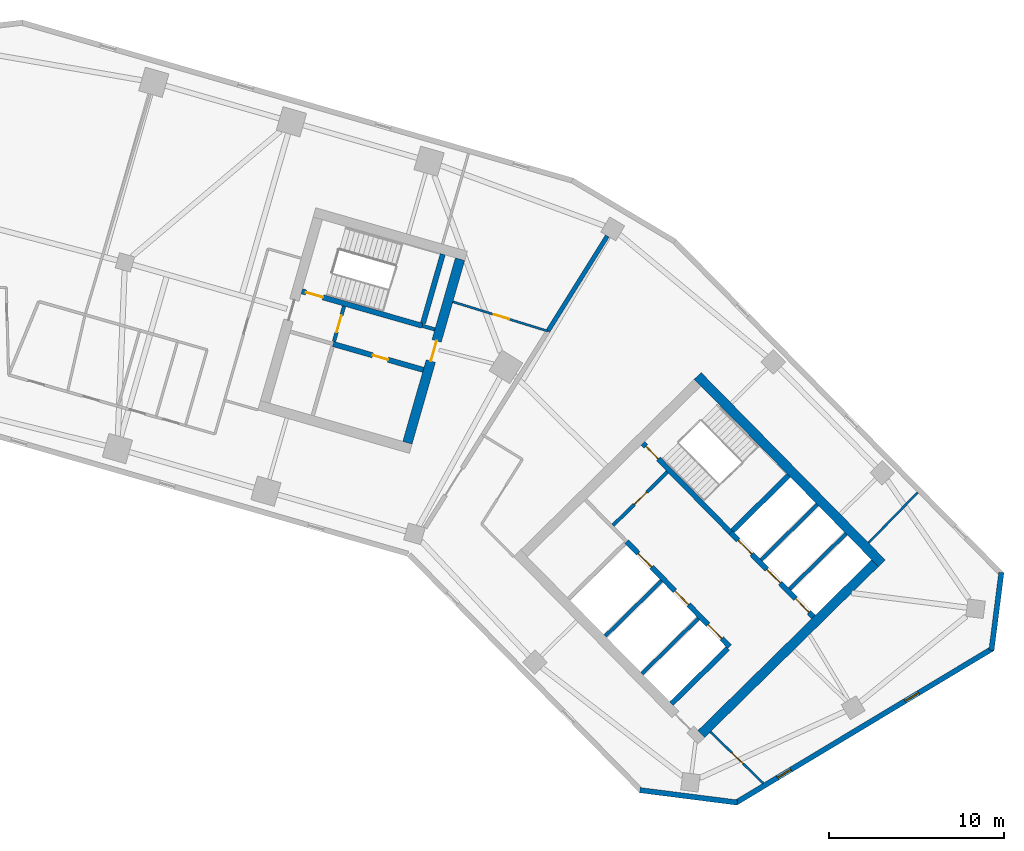
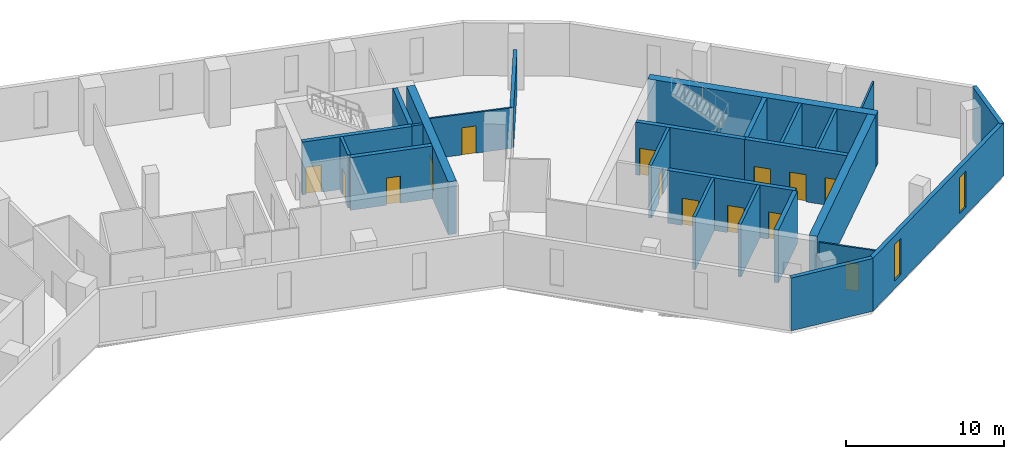
# One storey, part 6 of 10: 25 walls, 14 doors, 2 windows, 16 openings.
"""IFC4 building model written with IfcOpenShell, lengths in metres."""

from ifc_helpers import new_model, si_unit, direction, frame, frame_2d, origin, place, context, subcontext, project, spatial, rectangle, extrude, material, layer, layer_set, type_object, element, fill, save


model = new_model("IFC4")

# Units and contexts
model_context = context("Model", 3, precision=1e-05, world=origin(), true_north=direction((0.0, 1.0)))
body_context = subcontext(model_context, "Body", "Model", "MODEL_VIEW")
ifc_project = project(units=[si_unit("LENGTHUNIT", "METRE"), si_unit("AREAUNIT", "SQUARE_METRE"), si_unit("VOLUMEUNIT", "CUBIC_METRE"), si_unit("PLANEANGLEUNIT", "RADIAN"), si_unit("MASSUNIT", "GRAM", prefix="KILO")], contexts=[model_context])

# Site, building, storey
site_placement = place(None, origin())
site = spatial("IfcSite", under=ifc_project, at=site_placement, CompositionType="ELEMENT")
building_placement = place(site_placement, origin())
building = spatial("IfcBuilding", under=site, at=building_placement, Name="Binnacle Exchange Tower", CompositionType="ELEMENT")
storey_placement = place(building_placement, frame((0.0, 0.0, 119.10009765625)))
storey = spatial("IfcBuildingStorey", under=building, at=storey_placement, Name="L24", CompositionType="ELEMENT", Elevation=119.10009765625)

# Wall, openings, doors
ifc_material_1 = material(Name="Concrete C70/85", Category="concrete")
ifc_layer_1 = layer(ifc_material_1, 0.300048828125)
ifc_layer_set_1 = layer_set([ifc_layer_1], Name="Core wall - front 300")
wall_type_1 = type_object("IfcWallType", Name="Core wall - front 300", PredefinedType="SOLIDWALL", material=ifc_layer_set_1)
wall_1_placement = place(storey_placement, frame((37.8740234375, 41.41552734375, 0.0), z_axis=(0.0, 0.0, 1.0), x_axis=(0.700918271237, -0.71324159795, 0.0)))
wall_1 = element("IfcWall", 1, at=wall_1_placement, inside=storey, type_object=wall_type_1, Name="Core wall CRWB3", PredefinedType="SOLIDWALL", context=body_context, shape_type="SweptSolid", body=[
    extrude(rectangle(XDim=8.39990234375, YDim=0.300048828125, at=frame_2d((4.199951171875, 0.0))), origin(), (0.0, 0.0, 1.0), 4.079833984375),
])
opening_1_placement = place(wall_1_placement, frame((0.949951171875, 0.0, 0.0)))
opening_1 = element("IfcOpeningElement", 2, at=opening_1_placement, cuts=wall_1, Name="Opening LD15", PredefinedType="OPENING", context=body_context, shape_type="SweptSolid", body=[
    extrude(rectangle(XDim=1.10009765625, YDim=2.10009765625, at=frame_2d((0.550048828125, 1.050048828125))), frame((0.0, 0.159912109375, 0.0), z_axis=(0.0, -1.0, 0.0), x_axis=(1.0, 0.0, 0.0)), (0.0, 0.0, 1.0), 0.320068359375),
])
opening_2_placement = place(wall_1_placement, frame((3.949951171875, 0.0, 0.0)))
opening_2 = element("IfcOpeningElement", 3, at=opening_2_placement, cuts=wall_1, Name="Opening LD16", PredefinedType="OPENING", context=body_context, shape_type="SweptSolid", body=[
    extrude(rectangle(XDim=1.10009765625, YDim=2.10009765625, at=frame_2d((0.550048828125, 1.050048828125))), frame((0.0, 0.159912109375, 0.0), z_axis=(0.0, -1.0, 0.0), x_axis=(1.0, 0.0, 0.0)), (0.0, 0.0, 1.0), 0.320068359375),
])
opening_3_placement = place(wall_1_placement, frame((6.64990234375, 0.0, 0.0)))
opening_3 = element("IfcOpeningElement", 4, at=opening_3_placement, cuts=wall_1, Name="Opening LD4", PredefinedType="OPENING", context=body_context, shape_type="SweptSolid", body=[
    extrude(rectangle(XDim=1.10009765625, YDim=2.10009765625, at=frame_2d((0.550048828125, 1.050048828125))), frame((0.0, 0.159912109375, 0.0), z_axis=(0.0, -1.0, 0.0), x_axis=(1.0, 0.0, 0.0)), (0.0, 0.0, 1.0), 0.320068359375),
])
ifc_material_2 = material(Name="Steel door leaf", Category="steel")
door_type_1 = type_object("IfcDoorType", Name="Fire door - lift landing 1100", OperationType="NOTDEFINED", PredefinedType="DOOR", material=ifc_material_2)
door_1_placement = place(opening_1_placement, origin())
door_1 = element("IfcDoor", 5, at=door_1_placement, inside=storey, type_object=door_type_1, Name="Landing door LD15 L24", OperationType="DOUBLE_DOOR_SLIDING", OverallHeight=2.10009765625, OverallWidth=1.10009765625, PredefinedType="DOOR", context=body_context, shape_type="SweptSolid", body=[
    extrude(rectangle(XDim=1.10009765625, YDim=2.10009765625, at=frame_2d((0.550048828125, 1.050048828125))), frame((0.0, 0.02490234375, 0.0), z_axis=(0.0, -1.0, 0.0), x_axis=(1.0, 0.0, 0.0)), (0.0, 0.0, 1.0), 0.050048828125),
])
fill(opening_1, door_1)
door_2_placement = place(opening_2_placement, origin())
door_2 = element("IfcDoor", 6, at=door_2_placement, inside=storey, type_object=door_type_1, Name="Landing door LD16 L24", OperationType="DOUBLE_DOOR_SLIDING", OverallHeight=2.10009765625, OverallWidth=1.10009765625, PredefinedType="DOOR", context=body_context, shape_type="SweptSolid", body=[
    extrude(rectangle(XDim=1.10009765625, YDim=2.10009765625, at=frame_2d((0.550048828125, 1.050048828125))), frame((0.0, 0.02490234375, 0.0), z_axis=(0.0, -1.0, 0.0), x_axis=(1.0, 0.0, 0.0)), (0.0, 0.0, 1.0), 0.050048828125),
])
fill(opening_2, door_2)
door_3_placement = place(opening_3_placement, origin())
door_3 = element("IfcDoor", 7, at=door_3_placement, inside=storey, type_object=door_type_1, Name="Landing door LD4 L24", OperationType="DOUBLE_DOOR_SLIDING", OverallHeight=2.10009765625, OverallWidth=1.10009765625, PredefinedType="DOOR", context=body_context, shape_type="SweptSolid", body=[
    extrude(rectangle(XDim=1.10009765625, YDim=2.10009765625, at=frame_2d((0.550048828125, 1.050048828125))), frame((0.0, 0.02490234375, 0.0), z_axis=(0.0, -1.0, 0.0), x_axis=(1.0, 0.0, 0.0)), (0.0, 0.0, 1.0), 0.050048828125),
])
fill(opening_3, door_3)

wall_2_placement = place(storey_placement, frame((43.818603515625, 41.92919921875, 0.0), z_axis=(0.0, 0.0, 1.0), x_axis=(0.700931209592, -0.713228882912, 0.0)))
wall_2 = element("IfcWall", 8, at=wall_2_placement, inside=storey, type_object=wall_type_1, Name="Core wall CRWB5", PredefinedType="SOLIDWALL", context=body_context, shape_type="SweptSolid", body=[
    extrude(rectangle(XDim=6.75, YDim=0.300048828125, at=frame_2d((3.375, 0.0))), origin(), (0.0, 0.0, 1.0), 4.079833984375),
])
opening_4_placement = place(wall_2_placement, frame((0.614990234375, 0.0, 0.0)))
opening_4 = element("IfcOpeningElement", 9, at=opening_4_placement, cuts=wall_2, Name="Opening LD1", PredefinedType="OPENING", context=body_context, shape_type="SweptSolid", body=[
    extrude(rectangle(XDim=1.10009765625, YDim=2.10009765625, at=frame_2d((0.550048828125, 1.050048828125))), frame((0.0, 0.159912109375, 0.0), z_axis=(0.0, -1.0, 0.0), x_axis=(1.0, 0.0, 0.0)), (0.0, 0.0, 1.0), 0.320068359375),
])
opening_5_placement = place(wall_2_placement, frame((2.945068359375, 0.0, 0.0)))
opening_5 = element("IfcOpeningElement", 10, at=opening_5_placement, cuts=wall_2, Name="Opening LD2", PredefinedType="OPENING", context=body_context, shape_type="SweptSolid", body=[
    extrude(rectangle(XDim=1.10009765625, YDim=2.10009765625, at=frame_2d((0.550048828125, 1.050048828125))), frame((0.0, 0.159912109375, 0.0), z_axis=(0.0, -1.0, 0.0), x_axis=(1.0, 0.0, 0.0)), (0.0, 0.0, 1.0), 0.320068359375),
])
opening_6_placement = place(wall_2_placement, frame((5.280029296875, 0.0, 0.0)))
opening_6 = element("IfcOpeningElement", 11, at=opening_6_placement, cuts=wall_2, Name="Opening LD3", PredefinedType="OPENING", context=body_context, shape_type="SweptSolid", body=[
    extrude(rectangle(XDim=1.10009765625, YDim=2.10009765625, at=frame_2d((0.550048828125, 1.050048828125))), frame((0.0, 0.159912109375, 0.0), z_axis=(0.0, -1.0, 0.0), x_axis=(1.0, 0.0, 0.0)), (0.0, 0.0, 1.0), 0.320068359375),
])
door_4_placement = place(opening_4_placement, origin())
door_4 = element("IfcDoor", 12, at=door_4_placement, inside=storey, type_object=door_type_1, Name="Landing door LD1 L24", OperationType="DOUBLE_DOOR_SLIDING", OverallHeight=2.10009765625, OverallWidth=1.10009765625, PredefinedType="DOOR", context=body_context, shape_type="SweptSolid", body=[
    extrude(rectangle(XDim=1.10009765625, YDim=2.10009765625, at=frame_2d((0.550048828125, 1.050048828125))), frame((0.0, 0.02490234375, 0.0), z_axis=(0.0, -1.0, 0.0), x_axis=(1.0, 0.0, 0.0)), (0.0, 0.0, 1.0), 0.050048828125),
])
fill(opening_4, door_4)
door_5_placement = place(opening_5_placement, origin())
door_5 = element("IfcDoor", 13, at=door_5_placement, inside=storey, type_object=door_type_1, Name="Landing door LD2 L24", OperationType="DOUBLE_DOOR_SLIDING", OverallHeight=2.10009765625, OverallWidth=1.10009765625, PredefinedType="DOOR", context=body_context, shape_type="SweptSolid", body=[
    extrude(rectangle(XDim=1.10009765625, YDim=2.10009765625, at=frame_2d((0.550048828125, 1.050048828125))), frame((0.0, 0.02490234375, 0.0), z_axis=(0.0, -1.0, 0.0), x_axis=(1.0, 0.0, 0.0)), (0.0, 0.0, 1.0), 0.050048828125),
])
fill(opening_5, door_5)
door_6_placement = place(opening_6_placement, origin())
door_6 = element("IfcDoor", 14, at=door_6_placement, inside=storey, type_object=door_type_1, Name="Landing door LD3 L24", OperationType="DOUBLE_DOOR_SLIDING", OverallHeight=2.10009765625, OverallWidth=1.10009765625, PredefinedType="DOOR", context=body_context, shape_type="SweptSolid", body=[
    extrude(rectangle(XDim=1.10009765625, YDim=2.10009765625, at=frame_2d((0.550048828125, 1.050048828125))), frame((0.0, 0.02490234375, 0.0), z_axis=(0.0, -1.0, 0.0), x_axis=(1.0, 0.0, 0.0)), (0.0, 0.0, 1.0), 0.050048828125),
])
fill(opening_6, door_6)

# Wall
wall_3_placement = place(storey_placement, frame((40.445068359375, 32.1650390625, 0.0), z_axis=(0.0, 0.0, 1.0), x_axis=(0.713264577552, 0.700894886848, 0.0)))
element("IfcWall", 15, at=wall_3_placement, inside=storey, type_object=wall_type_1, Name="Core wall CRWB14", PredefinedType="SOLIDWALL", context=body_context, shape_type="SweptSolid", body=[
    extrude(rectangle(XDim=4.5, YDim=0.300048828125, at=frame_2d((2.25, 0.0))), origin(), (0.0, 0.0, 1.0), 4.079833984375),
])

# Wall, opening, door
wall_4_placement = place(storey_placement, frame((21.130859375, 52.6923828125, 0.0), z_axis=(0.0, 0.0, 1.0), x_axis=(0.961265220997, -0.27562506218, 0.0)))
wall_4 = element("IfcWall", 16, at=wall_4_placement, inside=storey, type_object=wall_type_1, Name="Core wall CRWD3", PredefinedType="SOLIDWALL", context=body_context, shape_type="SweptSolid", body=[
    extrude(rectangle(XDim=5.35009765625, YDim=0.300048828125, at=frame_2d((2.675048828125, 0.0))), origin(), (0.0, 0.0, 1.0), 4.079833984375),
])
opening_7_placement = place(wall_4_placement, frame((2.35009765625, 0.0, 0.0)))
opening_7 = element("IfcOpeningElement", 17, at=opening_7_placement, cuts=wall_4, Name="Opening DD10", PredefinedType="OPENING", context=body_context, shape_type="SweptSolid", body=[
    extrude(rectangle(XDim=0.89990234375, YDim=2.10009765625, at=frame_2d((0.449951171875, 1.050048828125))), frame((0.0, 0.159912109375, 0.0), z_axis=(0.0, -1.0, 0.0), x_axis=(1.0, 0.0, 0.0)), (0.0, 0.0, 1.0), 0.320068359375),
])
door_type_2 = type_object("IfcDoorType", Name="Fire door 900", OperationType="NOTDEFINED", PredefinedType="DOOR", material=ifc_material_2)
door_7_placement = place(opening_7_placement, frame((0.89990234375, 0.0, 0.0), z_axis=(0.0, 0.0, 1.0), x_axis=(-1.0, 0.0, 0.0)))
door_7 = element("IfcDoor", 18, at=door_7_placement, inside=storey, type_object=door_type_2, Name="Core room door PANTRY", OperationType="SINGLE_SWING_LEFT", OverallHeight=2.10009765625, OverallWidth=0.89990234375, PredefinedType="DOOR", context=body_context, shape_type="SweptSolid", body=[
    extrude(rectangle(XDim=0.89990234375, YDim=2.10009765625, at=frame_2d((0.449951171875, 1.050048828125))), frame((0.0, 0.02490234375, 0.0), z_axis=(0.0, -1.0, 0.0), x_axis=(1.0, 0.0, 0.0)), (0.0, 0.0, 1.0), 0.050048828125),
])
fill(opening_7, door_7)

# Walls
ifc_layer_2 = layer(ifc_material_1, 0.550048828125)
ifc_layer_set_2 = layer_set([ifc_layer_2], Name="Core wall - outer 550")
wall_type_2 = type_object("IfcWallType", Name="Core wall - outer 550", PredefinedType="SOLIDWALL", material=ifc_layer_set_2)
wall_5_placement = place(storey_placement, frame((41.934326171875, 50.873291015625, 0.0), z_axis=(0.0, 0.0, 1.0), x_axis=(0.700911255944, -0.713248491965, 0.0)))
element("IfcWall", 19, at=wall_5_placement, inside=storey, type_object=wall_type_2, Name="Core wall CRWB6", PredefinedType="SOLIDWALL", context=body_context, shape_type="SweptSolid", body=[
    extrude(rectangle(XDim=15.0, YDim=0.550048828125, at=frame_2d((7.5, 0.0))), origin(), (0.0, 0.0, 1.0), 4.079833984375),
])
wall_6_placement = place(storey_placement, frame((42.144775390625, 30.435302734375, 0.0), z_axis=(0.0, 0.0, 1.0), x_axis=(0.713253550094, 0.700906108746, 0.0)))
element("IfcWall", 20, at=wall_6_placement, inside=storey, type_object=wall_type_2, Name="Core wall CRWB16", PredefinedType="SOLIDWALL", context=body_context, shape_type="SweptSolid", body=[
    extrude(rectangle(XDim=13.900146484375, YDim=0.550048828125, at=frame_2d((6.9501953125, 0.0))), origin(), (0.0, 0.0, 1.0), 4.079833984375),
])

# Wall, opening, door
wall_7_placement = place(storey_placement, frame((25.366455078125, 47.056640625, 0.0), z_axis=(0.0, 0.0, 1.0), x_axis=(0.275632146085, 0.96126318979, 0.0)))
wall_7 = element("IfcWall", 21, at=wall_7_placement, inside=storey, type_object=wall_type_2, Name="Core wall CRWD12", PredefinedType="SOLIDWALL", context=body_context, shape_type="SweptSolid", body=[
    extrude(rectangle(XDim=10.89990234375, YDim=0.550048828125, at=frame_2d((5.449951171875, 0.0))), origin(), (0.0, 0.0, 1.0), 4.079833984375),
])
opening_8_placement = place(wall_7_placement, frame((4.849853515625, 0.0, 0.0)))
opening_8 = element("IfcOpeningElement", 22, at=opening_8_placement, cuts=wall_7, Name="Opening DD6", PredefinedType="OPENING", context=body_context, shape_type="SweptSolid", body=[
    extrude(rectangle(XDim=1.199951171875, YDim=2.10009765625, at=frame_2d((0.60009765625, 1.050048828125))), frame((0.0, 0.284912109375, 0.0), z_axis=(0.0, -1.0, 0.0), x_axis=(1.0, 0.0, 0.0)), (0.0, 0.0, 1.0), 0.570068359375),
])
door_type_3 = type_object("IfcDoorType", Name="Fire door 1200", OperationType="NOTDEFINED", PredefinedType="DOOR", material=ifc_material_2)
door_8_placement = place(opening_8_placement, frame((1.199951171875, 0.0, 0.0), z_axis=(0.0, 0.0, 1.0), x_axis=(-1.0, 0.0, 0.0)))
door_8 = element("IfcDoor", 23, at=door_8_placement, inside=storey, type_object=door_type_3, Name="Core passage exit door", OperationType="SINGLE_SWING_RIGHT", OverallHeight=2.10009765625, OverallWidth=1.199951171875, PredefinedType="DOOR", context=body_context, shape_type="SweptSolid", body=[
    extrude(rectangle(XDim=1.199951171875, YDim=2.10009765625, at=frame_2d((0.60009765625, 1.050048828125))), frame((0.0, 0.02490234375, 0.0), z_axis=(0.0, -1.0, 0.0), x_axis=(1.0, 0.0, 0.0)), (0.0, 0.0, 1.0), 0.050048828125),
])
fill(opening_8, door_8)

ifc_layer_3 = layer(ifc_material_1, 0.300048828125)
ifc_layer_set_3 = layer_set([ifc_layer_3], Name="Core wall - stair 300")
wall_type_3 = type_object("IfcWallType", Name="Core wall - stair 300", PredefinedType="SOLIDWALL", material=ifc_layer_set_3)
wall_8_placement = place(storey_placement, frame((38.806884765625, 47.029052734375, 0.0), z_axis=(0.0, 0.0, 1.0), x_axis=(0.700916852778, -0.713242991898, 0.0)))
wall_8 = element("IfcWall", 24, at=wall_8_placement, inside=storey, type_object=wall_type_3, Name="Core wall CRWB4", PredefinedType="SOLIDWALL", context=body_context, shape_type="SweptSolid", body=[
    extrude(rectangle(XDim=7.150146484375, YDim=0.300048828125, at=frame_2d((3.5751953125, 0.0))), origin(), (0.0, 0.0, 1.0), 4.079833984375),
])
opening_9_placement = place(wall_8_placement, frame((0.25, 0.0, 0.0)))
opening_9 = element("IfcOpeningElement", 25, at=opening_9_placement, cuts=wall_8, Name="Opening DB1", PredefinedType="OPENING", context=body_context, shape_type="SweptSolid", body=[
    extrude(rectangle(XDim=1.0, YDim=2.10009765625, at=frame_2d((0.5, 1.050048828125))), frame((0.0, 0.159912109375, 0.0), z_axis=(0.0, -1.0, 0.0), x_axis=(1.0, 0.0, 0.0)), (0.0, 0.0, 1.0), 0.320068359375),
])
door_type_4 = type_object("IfcDoorType", Name="Fire door 1000", OperationType="NOTDEFINED", PredefinedType="DOOR", material=ifc_material_2)
door_9_placement = place(opening_9_placement, origin())
door_9 = element("IfcDoor", 26, at=door_9_placement, inside=storey, type_object=door_type_4, Name="Stair door ST-B1", OperationType="SINGLE_SWING_LEFT", OverallHeight=2.10009765625, OverallWidth=1.0, PredefinedType="DOOR", context=body_context, shape_type="SweptSolid", body=[
    extrude(rectangle(XDim=1.0, YDim=2.10009765625, at=frame_2d((0.5, 1.050048828125))), frame((0.0, 0.02490234375, 0.0), z_axis=(0.0, -1.0, 0.0), x_axis=(1.0, 0.0, 0.0)), (0.0, 0.0, 1.0), 0.050048828125),
])
fill(opening_9, door_9)

# Wall
wall_9_placement = place(storey_placement, frame((43.925537109375, 42.034423828125, 0.0), z_axis=(0.0, 0.0, 1.0), x_axis=(0.713210801054, 0.700949608217, 0.0)))
element("IfcWall", 27, at=wall_9_placement, inside=storey, type_object=wall_type_3, Name="Core wall CRWB11", PredefinedType="SOLIDWALL", context=body_context, shape_type="SweptSolid", body=[
    extrude(rectangle(XDim=4.5, YDim=0.300048828125, at=frame_2d((2.25, 0.0))), origin(), (0.0, 0.0, 1.0), 4.079833984375),
])

# Wall, opening, door
wall_10_placement = place(storey_placement, frame((19.34130859375, 55.702392578125, 0.0), z_axis=(0.0, 0.0, 1.0), x_axis=(0.961263228157, -0.27563201228, 0.0)))
wall_10 = element("IfcWall", 28, at=wall_10_placement, inside=storey, type_object=wall_type_3, Name="Core wall CRWD4", PredefinedType="SOLIDWALL", context=body_context, shape_type="SweptSolid", body=[
    extrude(rectangle(XDim=7.149658203125, YDim=0.300048828125, at=frame_2d((3.57470703125, 0.0))), origin(), (0.0, 0.0, 1.0), 4.079833984375),
])
opening_10_placement = place(wall_10_placement, frame((0.25, 0.0, 0.0)))
opening_10 = element("IfcOpeningElement", 29, at=opening_10_placement, cuts=wall_10, Name="Opening DD1", PredefinedType="OPENING", context=body_context, shape_type="SweptSolid", body=[
    extrude(rectangle(XDim=1.0, YDim=2.10009765625, at=frame_2d((0.5, 1.050048828125))), frame((0.0, 0.159912109375, 0.0), z_axis=(0.0, -1.0, 0.0), x_axis=(1.0, 0.0, 0.0)), (0.0, 0.0, 1.0), 0.320068359375),
])
door_10_placement = place(opening_10_placement, origin())
door_10 = element("IfcDoor", 30, at=door_10_placement, inside=storey, type_object=door_type_4, Name="Stair door ST-D1", OperationType="SINGLE_SWING_LEFT", OverallHeight=2.10009765625, OverallWidth=1.0, PredefinedType="DOOR", context=body_context, shape_type="SweptSolid", body=[
    extrude(rectangle(XDim=1.0, YDim=2.10009765625, at=frame_2d((0.5, 1.050048828125))), frame((0.0, 0.02490234375, 0.0), z_axis=(0.0, -1.0, 0.0), x_axis=(1.0, 0.0, 0.0)), (0.0, 0.0, 1.0), 0.050048828125),
])
fill(opening_10, door_10)

# Walls
wall_11_placement = place(storey_placement, frame((26.255615234375, 53.875732421875, 0.0), z_axis=(0.0, 0.0, 1.0), x_axis=(0.275641165445, 0.961260603537, 0.0)))
element("IfcWall", 31, at=wall_11_placement, inside=storey, type_object=wall_type_3, Name="Core wall CRWD11", PredefinedType="SOLIDWALL", context=body_context, shape_type="SweptSolid", body=[
    extrude(rectangle(XDim=4.10009765625, YDim=0.300048828125, at=frame_2d((2.050048828125, 0.0))), origin(), (0.0, 0.0, 1.0), 4.079833984375),
])
ifc_material_3 = material(Name="Bronze aluminium cladding", Category="aluminium")
ifc_layer_4 = layer(ifc_material_3, 0.300048828125)
ifc_layer_set_4 = layer_set([ifc_layer_4], Name="External wall - spandrel 300")
wall_type_4 = type_object("IfcWallType", Name="External wall - spandrel 300", PredefinedType="STANDARD", material=ifc_layer_set_4)
wall_12_placement = place(storey_placement, frame((44.19580078125, 26.517822265625, 0.0), z_axis=(0.0, 0.0, 1.0), x_axis=(-0.992001881269, 0.126223086474, 0.0)))
element("IfcWall", 32, at=wall_12_placement, inside=storey, type_object=wall_type_4, Name="External wall EW-F10 L24", PredefinedType="STANDARD", context=body_context, shape_type="SweptSolid", body=[
    extrude(rectangle(XDim=5.6015625, YDim=0.300048828125, at=frame_2d((2.80078125, 0.0))), origin(), (0.0, 0.0, 1.0), 4.079833984375),
])

# Wall, openings, windows
wall_13_placement = place(storey_placement, frame((58.7783203125, 35.317626953125, 0.0), z_axis=(0.0, 0.0, 1.0), x_axis=(-0.857168206138, -0.515036568009, 0.0)))
wall_13 = element("IfcWall", 33, at=wall_13_placement, inside=storey, type_object=wall_type_4, Name="External wall EW-F11 L24", PredefinedType="STANDARD", context=body_context, shape_type="SweptSolid", body=[
    extrude(rectangle(XDim=17.124755859375, YDim=0.300048828125, at=frame_2d((8.5625, 0.0))), origin(), (0.0, 0.0, 1.0), 4.079833984375),
])
opening_11_placement = place(wall_13_placement, frame((13.435302734375, 0.0, 0.60009765625)))
opening_11 = element("IfcOpeningElement", 34, at=opening_11_placement, cuts=wall_13, Name="Opening WS2", PredefinedType="OPENING", context=body_context, shape_type="SweptSolid", body=[
    extrude(rectangle(XDim=0.89990234375, YDim=2.800048828125, at=frame_2d((0.449951171875, 1.39990234375))), frame((0.0, 0.159912109375, 0.0), z_axis=(0.0, -1.0, 0.0), x_axis=(1.0, 0.0, 0.0)), (0.0, 0.0, 1.0), 0.320068359375),
])
opening_12_placement = place(wall_13_placement, frame((4.935302734375, 0.0, 0.60009765625)))
opening_12 = element("IfcOpeningElement", 35, at=opening_12_placement, cuts=wall_13, Name="Opening WS2", PredefinedType="OPENING", context=body_context, shape_type="SweptSolid", body=[
    extrude(rectangle(XDim=0.89990234375, YDim=2.800048828125, at=frame_2d((0.449951171875, 1.39990234375))), frame((0.0, 0.159912109375, 0.0), z_axis=(0.0, -1.0, 0.0), x_axis=(1.0, 0.0, 0.0)), (0.0, 0.0, 1.0), 0.320068359375),
])
ifc_material_4 = material(Name="Bronze anodised aluminium frame", Category="aluminium")
window_type = type_object("IfcWindowType", Name="WS2 WINDOW 900x2800", PartitioningType="SINGLE_PANEL", PredefinedType="WINDOW", material=ifc_material_4)
window_1_placement = place(opening_11_placement, origin())
window_1 = element("IfcWindow", 36, at=window_1_placement, inside=storey, type_object=window_type, Name="Window WS2 L24", OverallHeight=2.800048828125, OverallWidth=0.89990234375, PartitioningType="SINGLE_PANEL", PredefinedType="WINDOW", context=body_context, shape_type="SweptSolid", body=[
    extrude(rectangle(XDim=0.89990234375, YDim=2.800048828125, at=frame_2d((0.449951171875, 1.39990234375))), frame((0.0, 0.030029296875, 0.0), z_axis=(0.0, -1.0, 0.0), x_axis=(1.0, 0.0, 0.0)), (0.0, 0.0, 1.0), 0.06005859375),
])
fill(opening_11, window_1)
window_2_placement = place(opening_12_placement, origin())
window_2 = element("IfcWindow", 37, at=window_2_placement, inside=storey, type_object=window_type, Name="Window WS2 L24", OverallHeight=2.800048828125, OverallWidth=0.89990234375, PartitioningType="SINGLE_PANEL", PredefinedType="WINDOW", context=body_context, shape_type="SweptSolid", body=[
    extrude(rectangle(XDim=0.89990234375, YDim=2.800048828125, at=frame_2d((0.449951171875, 1.39990234375))), frame((0.0, 0.030029296875, 0.0), z_axis=(0.0, -1.0, 0.0), x_axis=(1.0, 0.0, 0.0)), (0.0, 0.0, 1.0), 0.06005859375),
])
fill(opening_12, window_2)

# Walls
wall_14_placement = place(storey_placement, frame((59.27197265625, 39.6513671875, 0.0), z_axis=(0.0, 0.0, 1.0), x_axis=(-0.126181137886, -0.992007217938, 0.0)))
element("IfcWall", 38, at=wall_14_placement, inside=storey, type_object=wall_type_4, Name="External wall EW-F12 L24", PredefinedType="STANDARD", context=body_context, shape_type="SweptSolid", body=[
    extrude(rectangle(XDim=4.479248046875, YDim=0.300048828125, at=frame_2d((2.23974609375, 0.0))), origin(), (0.0, 0.0, 1.0), 4.079833984375),
])
ifc_material_5 = material(Name="Concrete fire wall C30/37", Category="concrete")
ifc_layer_5 = layer(ifc_material_5, 0.25)
ifc_layer_set_5 = layer_set([ifc_layer_5], Name="Fire wall - compartment 250")
wall_type_5 = type_object("IfcWallType", Name="Fire wall - compartment 250", PredefinedType="PARTITIONING", material=ifc_layer_set_5)
wall_15_placement = place(storey_placement, frame((33.385009765625, 53.427001953125, 0.0), z_axis=(0.0, 0.0, 1.0), x_axis=(0.52989620904, 0.848062502204, 0.0)))
element("IfcWall", 39, at=wall_15_placement, inside=storey, type_object=wall_type_5, Name="Fire Wall W39", PredefinedType="PARTITIONING", context=body_context, shape_type="SweptSolid", body=[
    extrude(rectangle(XDim=6.40869140625, YDim=0.25, at=frame_2d((3.204345703125, 0.0))), origin(), (0.0, 0.0, 1.0), 3.141845703125),
])

# Wall, opening, door
ifc_material_6 = material(Name="Masonry block wall", Category="masonry")
ifc_layer_6 = layer(ifc_material_6, 0.199951171875)
ifc_layer_set_6 = layer_set([ifc_layer_6], Name="Fire wall - vestibule 200")
wall_type_6 = type_object("IfcWallType", Name="Fire wall - vestibule 200", PredefinedType="PARTITIONING", material=ifc_layer_set_6)
wall_16_placement = place(storey_placement, frame((37.104248046875, 42.341552734375, 0.0), z_axis=(0.0, 0.0, 1.0), x_axis=(0.713281298468, 0.700877870428, 0.0)))
wall_16 = element("IfcWall", 40, at=wall_16_placement, inside=storey, type_object=wall_type_6, Name="Core wall CRWB8", PredefinedType="PARTITIONING", context=body_context, shape_type="SweptSolid", body=[
    extrude(rectangle(XDim=4.35009765625, YDim=0.199951171875, at=frame_2d((2.175048828125, 0.0))), origin(), (0.0, 0.0, 1.0), 4.079833984375),
])
opening_13_placement = place(wall_16_placement, frame((1.699951171875, 0.0, 0.0)))
opening_13 = element("IfcOpeningElement", 41, at=opening_13_placement, cuts=wall_16, Name="Opening DB3", PredefinedType="OPENING", context=body_context, shape_type="SweptSolid", body=[
    extrude(rectangle(XDim=1.0, YDim=2.10009765625, at=frame_2d((0.5, 1.050048828125))), frame((0.0, 0.10986328125, 0.0), z_axis=(0.0, -1.0, 0.0), x_axis=(1.0, 0.0, 0.0)), (0.0, 0.0, 1.0), 0.219970703125),
])
door_11_placement = place(opening_13_placement, origin())
door_11 = element("IfcDoor", 42, at=door_11_placement, inside=storey, type_object=door_type_4, Name="Vestibule door VEST-W", OperationType="SINGLE_SWING_RIGHT", OverallHeight=2.10009765625, OverallWidth=1.0, PredefinedType="DOOR", context=body_context, shape_type="SweptSolid", body=[
    extrude(rectangle(XDim=1.0, YDim=2.10009765625, at=frame_2d((0.5, 1.050048828125))), frame((0.0, 0.02490234375, 0.0), z_axis=(0.0, -1.0, 0.0), x_axis=(1.0, 0.0, 0.0)), (0.0, 0.0, 1.0), 0.050048828125),
])
fill(opening_13, door_11)

wall_17_placement = place(storey_placement, frame((21.172119140625, 52.836669921875, 0.0), z_axis=(0.0, 0.0, 1.0), x_axis=(0.275657676022, 0.961255868981, 0.0)))
wall_17 = element("IfcWall", 43, at=wall_17_placement, inside=storey, type_object=wall_type_6, Name="Core wall CRWD9", PredefinedType="PARTITIONING", context=body_context, shape_type="SweptSolid", body=[
    extrude(rectangle(XDim=2.099853515625, YDim=0.199951171875, at=frame_2d((1.0498046875, 0.0))), origin(), (0.0, 0.0, 1.0), 4.079833984375),
])
opening_14_placement = place(wall_17_placement, frame((0.550048828125, 0.0, 0.0)))
opening_14 = element("IfcOpeningElement", 44, at=opening_14_placement, cuts=wall_17, Name="Opening DD3", PredefinedType="OPENING", context=body_context, shape_type="SweptSolid", body=[
    extrude(rectangle(XDim=1.0, YDim=2.10009765625, at=frame_2d((0.5, 1.050048828125))), frame((0.0, 0.10986328125, 0.0), z_axis=(0.0, -1.0, 0.0), x_axis=(1.0, 0.0, 0.0)), (0.0, 0.0, 1.0), 0.219970703125),
])
door_12_placement = place(opening_14_placement, origin())
door_12 = element("IfcDoor", 45, at=door_12_placement, inside=storey, type_object=door_type_4, Name="Vestibule door VEST-W", OperationType="SINGLE_SWING_RIGHT", OverallHeight=2.10009765625, OverallWidth=1.0, PredefinedType="DOOR", context=body_context, shape_type="SweptSolid", body=[
    extrude(rectangle(XDim=1.0, YDim=2.10009765625, at=frame_2d((0.5, 1.050048828125))), frame((0.0, 0.02490234375, 0.0), z_axis=(0.0, -1.0, 0.0), x_axis=(1.0, 0.0, 0.0)), (0.0, 0.0, 1.0), 0.050048828125),
])
fill(opening_14, door_12)

ifc_material_7 = material(Name="Gypsum partition")
ifc_layer_7 = layer(ifc_material_7, 0.125)
ifc_layer_set_7 = layer_set([ifc_layer_7], Name="Partition 125")
wall_type_7 = type_object("IfcWallType", Name="Partition 125", PredefinedType="PARTITIONING", material=ifc_layer_set_7)
wall_18_placement = place(storey_placement, frame((27.9599609375, 55.10302734375, 0.0), z_axis=(0.0, 0.0, 1.0), x_axis=(0.955442775069, -0.29517639399, 0.0)))
wall_18 = element("IfcWall", 46, at=wall_18_placement, inside=storey, type_object=wall_type_7, Name="Partition W34", PredefinedType="PARTITIONING", context=body_context, shape_type="SweptSolid", body=[
    extrude(rectangle(XDim=5.677978515625, YDim=0.125, at=frame_2d((2.8388671875, 0.0))), origin(), (0.0, 0.0, 1.0), 3.141845703125),
])
opening_15_placement = place(wall_18_placement, frame((2.449951171875, 0.0, 0.0)))
opening_15 = element("IfcOpeningElement", 47, at=opening_15_placement, cuts=wall_18, Name="Opening DL22-09", PredefinedType="OPENING", context=body_context, shape_type="SweptSolid", body=[
    extrude(rectangle(XDim=0.89990234375, YDim=2.10009765625, at=frame_2d((0.449951171875, 1.050048828125))), frame((0.0, 0.072509765625, 0.0), z_axis=(0.0, -1.0, 0.0), x_axis=(1.0, 0.0, 0.0)), (0.0, 0.0, 1.0), 0.14501953125),
])
ifc_material_8 = material(Name="Timber door leaf", Category="wood")
door_type_5 = type_object("IfcDoorType", Name="Door 900", OperationType="NOTDEFINED", PredefinedType="DOOR", material=ifc_material_8)
door_13_placement = place(opening_15_placement, origin())
door_13 = element("IfcDoor", 48, at=door_13_placement, inside=storey, type_object=door_type_5, Name="Door DL22-09", OperationType="SINGLE_SWING_RIGHT", OverallHeight=2.10009765625, OverallWidth=0.89990234375, PredefinedType="DOOR", context=body_context, shape_type="SweptSolid", body=[
    extrude(rectangle(XDim=0.89990234375, YDim=2.10009765625, at=frame_2d((0.449951171875, 1.050048828125))), frame((0.0, 0.02490234375, 0.0), z_axis=(0.0, -1.0, 0.0), x_axis=(1.0, 0.0, 0.0)), (0.0, 0.0, 1.0), 0.050048828125),
])
fill(opening_15, door_13)

wall_19_placement = place(storey_placement, frame((42.658935546875, 30.554931640625, 0.0), z_axis=(0.0, 0.0, 1.0), x_axis=(0.716925671772, -0.697149611743, 0.0)))
wall_19 = element("IfcWall", 49, at=wall_19_placement, inside=storey, type_object=wall_type_7, Name="Partition W40", PredefinedType="PARTITIONING", context=body_context, shape_type="SweptSolid", body=[
    extrude(rectangle(XDim=4.209716796875, YDim=0.125, at=frame_2d((2.10498046875, 0.0))), origin(), (0.0, 0.0, 1.0), 3.351806640625),
])
opening_16_placement = place(wall_19_placement, frame((1.699951171875, 0.0, 0.0)))
opening_16 = element("IfcOpeningElement", 50, at=opening_16_placement, cuts=wall_19, Name="Opening DL22-11", PredefinedType="OPENING", context=body_context, shape_type="SweptSolid", body=[
    extrude(rectangle(XDim=0.89990234375, YDim=2.10009765625, at=frame_2d((0.449951171875, 1.050048828125))), frame((0.0, 0.072509765625, 0.0), z_axis=(0.0, -1.0, 0.0), x_axis=(1.0, 0.0, 0.0)), (0.0, 0.0, 1.0), 0.14501953125),
])
door_14_placement = place(opening_16_placement, origin())
door_14 = element("IfcDoor", 51, at=door_14_placement, inside=storey, type_object=door_type_5, Name="Door DL22-11", OperationType="SINGLE_SWING_RIGHT", OverallHeight=2.10009765625, OverallWidth=0.89990234375, PredefinedType="DOOR", context=body_context, shape_type="SweptSolid", body=[
    extrude(rectangle(XDim=0.89990234375, YDim=2.10009765625, at=frame_2d((0.449951171875, 1.050048828125))), frame((0.0, 0.02490234375, 0.0), z_axis=(0.0, -1.0, 0.0), x_axis=(1.0, 0.0, 0.0)), (0.0, 0.0, 1.0), 0.050048828125),
])
fill(opening_16, door_14)

# Walls
wall_20_placement = place(storey_placement, frame((51.68798828125, 41.340087890625, 0.0), z_axis=(0.0, 0.0, 1.0), x_axis=(0.698090794369, 0.716009247718, 0.0)))
element("IfcWall", 52, at=wall_20_placement, inside=storey, type_object=wall_type_7, Name="Partition W41", PredefinedType="PARTITIONING", context=body_context, shape_type="SweptSolid", body=[
    extrude(rectangle(XDim=4.019287109375, YDim=0.125, at=frame_2d((2.009765625, 0.0))), origin(), (0.0, 0.0, 1.0), 3.35986328125),
])
ifc_layer_8 = layer(ifc_material_6, 0.199951171875)
ifc_layer_set_8 = layer_set([ifc_layer_8], Name="Riser wall 200")
wall_type_8 = type_object("IfcWallType", Name="Riser wall 200", PredefinedType="SOLIDWALL", material=ifc_layer_set_8)
wall_21_placement = place(storey_placement, frame((26.214111328125, 53.731689453125, 0.0), z_axis=(0.0, 0.0, 1.0), x_axis=(0.961240918172, -0.275709806194, 0.0)))
element("IfcWall", 53, at=wall_21_placement, inside=storey, type_object=wall_type_8, Name="Core wall CRWD5", PredefinedType="SOLIDWALL", context=body_context, shape_type="SweptSolid", body=[
    extrude(rectangle(XDim=0.75, YDim=0.199951171875, at=frame_2d((0.375, 0.0))), origin(), (0.0, 0.0, 1.0), 4.079833984375),
])
ifc_layer_9 = layer(ifc_material_6, 0.199951171875)
ifc_layer_set_9 = layer_set([ifc_layer_9], Name="Shaft wall 200")
wall_type_9 = type_object("IfcWallType", Name="Shaft wall 200", PredefinedType="SOLIDWALL", material=ifc_layer_set_9)
wall_22_placement = place(storey_placement, frame((36.66015625, 36.0166015625, 0.0), z_axis=(0.0, 0.0, 1.0), x_axis=(0.713264577552, 0.700894886848, 0.0)))
element("IfcWall", 54, at=wall_22_placement, inside=storey, type_object=wall_type_9, Name="Core wall CRWB10", PredefinedType="SOLIDWALL", context=body_context, shape_type="SweptSolid", body=[
    extrude(rectangle(XDim=4.5, YDim=0.199951171875, at=frame_2d((2.25, 0.0))), origin(), (0.0, 0.0, 1.0), 4.079833984375),
])
wall_23_placement = place(storey_placement, frame((38.762939453125, 33.876708984375, 0.0), z_axis=(0.0, 0.0, 1.0), x_axis=(0.713237455685, 0.700922486305, 0.0)))
element("IfcWall", 55, at=wall_23_placement, inside=storey, type_object=wall_type_9, Name="Core wall CRWB12", PredefinedType="SOLIDWALL", context=body_context, shape_type="SweptSolid", body=[
    extrude(rectangle(XDim=4.500244140625, YDim=0.199951171875, at=frame_2d((2.25, 0.0))), origin(), (0.0, 0.0, 1.0), 4.079833984375),
])
for number, where, z_axis, x_axis, name in (
    (56, (45.55859375, 40.37255859375, 0.0), (0.0, 0.0, 1.0), (0.713264577552, 0.700894886848, 0.0), "Core wall CRWB13"),
    (57, (47.191650390625, 38.710693359375, 0.0), (0.0, 0.0, 1.0), (0.713264577552, 0.700894886848, 0.0), "Core wall CRWB15"),
):
    element("IfcWall", number, at=place(storey_placement, frame(where, z_axis=z_axis, x_axis=x_axis)), inside=storey, type_object=wall_type_9, Name=name, PredefinedType="SOLIDWALL", context=body_context, shape_type="SweptSolid", body=[
        extrude(rectangle(XDim=4.5, YDim=0.199951171875, at=frame_2d((2.25, 0.0))), origin(), (0.0, 0.0, 1.0), 4.079833984375),
    ])

save(model, "model.ifc")
